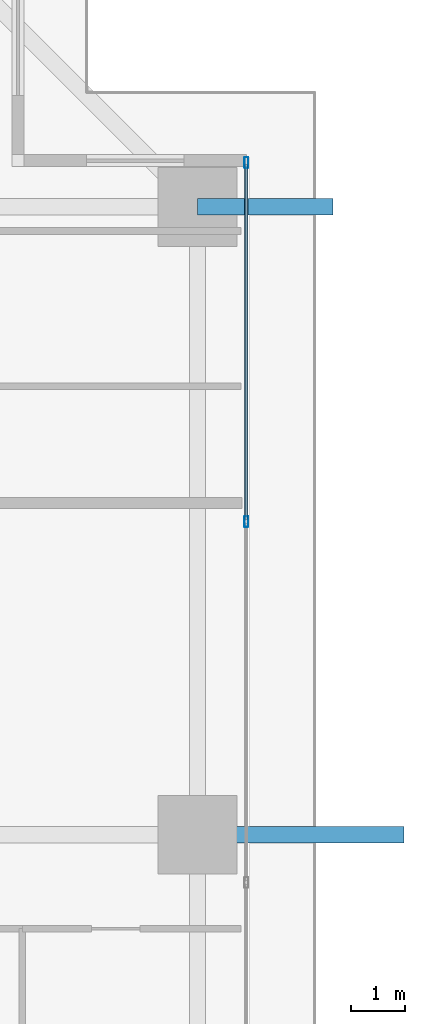
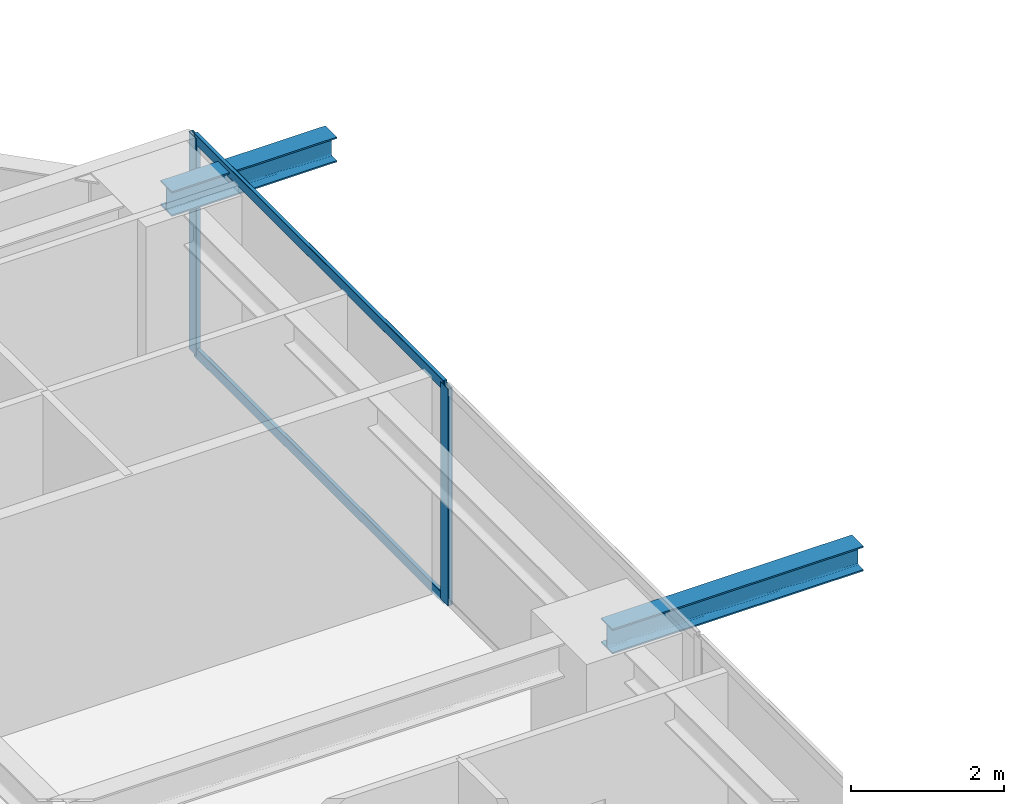
# One storey, part 23 of 41: 4 members, 2 beams, 1 element without a shape of its own.
"""IFC4 building model written with IfcOpenShell, lengths in metres."""

from ifc_helpers import new_model, si_unit, direction, frame, origin, origin_2d, place, context, subcontext, project, spatial, hollow_rectangle, i_section, extrude, source, transform, mapped, material, layer, layer_set, material_profile, profile_set, type_object, element, aggregate, save


model = new_model("IFC4")

# Units and contexts
model_context = context("Model", 3, precision=1e-05, world=origin(), true_north=direction((0.0, 1.0)))
body_context = subcontext(model_context, "Body", "Model", "MODEL_VIEW")
ifc_project = project(units=[si_unit("LENGTHUNIT", "METRE"), si_unit("AREAUNIT", "SQUARE_METRE"), si_unit("VOLUMEUNIT", "CUBIC_METRE"), si_unit("PLANEANGLEUNIT", "RADIAN"), si_unit("MASSUNIT", "GRAM", prefix="KILO")], contexts=[model_context])

# Site, building, storey
site_placement = place(None, origin())
site = spatial("IfcSite", under=ifc_project, at=site_placement, CompositionType="ELEMENT")
building_placement = place(site_placement, origin())
building = spatial("IfcBuilding", under=site, at=building_placement, Name="Serunith Strait Residences", CompositionType="ELEMENT")
storey_placement = place(building_placement, frame((0.0, 0.0, 45.449951171875)))
storey = spatial("IfcBuildingStorey", under=building, at=storey_placement, Name="L10", CompositionType="ELEMENT", Elevation=45.449951171875)

# Beams
ifc_material_1 = material(Name="Steel S355J2", Category="steel")
ifc_material_profile_1 = material_profile(ifc_material_1, i_section(OverallWidth=0.300048828125, OverallDepth=0.39990234375, WebThickness=0.013427734375, FlangeThickness=0.02392578125, FilletRadius=0.027099609375, at=origin_2d()), Name="HEB 400")
ifc_profile_set_1 = profile_set([ifc_material_profile_1], Name="Steel S355J2")
beam_type = type_object("IfcBeamType", Name="BM-HEB400", PredefinedType="BEAM", material=ifc_profile_set_1)
shared_shape_1 = source(origin(), body_context, "Body", "SweptSolid", [
    extrude(i_section(OverallWidth=0.300048828125, OverallDepth=0.39990234375, WebThickness=0.013427734375, FlangeThickness=0.02392578125, FilletRadius=0.027099609375, at=origin_2d()), origin(), (0.0, 0.0, 1.0), 3.800048828125),
])
beam_1_placement = place(storey_placement, frame((57.89990234375, 29.39990234375, 3.257080078125), z_axis=(1.0, 0.0, 0.0), x_axis=(0.0, 1.0, 0.0)))
element("IfcBeam", 1, at=beam_1_placement, inside=storey, type_object=beam_type, Name="L11 Cantilevered Balcony Rib TC-E3", PredefinedType="BEAM", context=body_context, shape_type="MappedRepresentation", body=[
    mapped(shared_shape_1, transform((0.0, 0.0, 0.0), scale=1.0)),
])
shared_shape_2 = source(origin(), body_context, "Body", "SweptSolid", [
    extrude(i_section(OverallWidth=0.300048828125, OverallDepth=0.39990234375, WebThickness=0.013427734375, FlangeThickness=0.02392578125, FilletRadius=0.027099609375, at=origin_2d()), origin(), (0.0, 0.0, 1.0), 2.49609375),
])
beam_2_placement = place(storey_placement, frame((57.89990234375, 40.949951171875, 3.257080078125), z_axis=(1.0, 0.0, 0.0), x_axis=(0.0, 1.0, 0.0)))
element("IfcBeam", 2, at=beam_2_placement, inside=storey, type_object=beam_type, Name="L11 Cantilevered Balcony Rib TC-E4", PredefinedType="BEAM", context=body_context, shape_type="MappedRepresentation", body=[
    mapped(shared_shape_2, transform((0.0, 0.0, 0.0), scale=1.0)),
])

# Curtain wall, members
ifc_material_2 = material(Name="Pale-Champagne Anodised Aluminium", Category="aluminium")
ifc_layer = layer(ifc_material_2, 0.199951171875, Name="Pale-Champagne Anodised Aluminium")
ifc_layer_set = layer_set([ifc_layer], Name="Pale-Champagne Anodised Aluminium")
curtain_wall_type = type_object("IfcCurtainWallType", Name="CW-SYS1", PredefinedType="NOTDEFINED", material=ifc_layer_set)
curtain_wall_placement = place(storey_placement, origin())
curtain_wall = element("IfcCurtainWall", 3, at=curtain_wall_placement, inside=storey, type_object=curtain_wall_type, Name="L10 E Unitised Fritted Curtain Wall", PredefinedType="NOTDEFINED")
ifc_material_profile_2 = material_profile(ifc_material_2, hollow_rectangle(XDim=0.070068359375, YDim=0.199951171875, WallThickness=0.00390625, InnerFilletRadius=0.006103515625, OuterFilletRadius=0.010009765625, at=origin_2d()), Name="ALU 200x70x4")
ifc_profile_set_2 = profile_set([ifc_material_profile_2], Name="Pale-Champagne Anodised Aluminium")
member_type_1 = type_object("IfcMemberType", Name="CW-SYS1-MULL", PredefinedType="MULLION", material=ifc_profile_set_2)
shared_shape_3 = source(origin(), body_context, "Body", "SweptSolid", [
    extrude(hollow_rectangle(XDim=0.070068359375, YDim=0.199951171875, WallThickness=0.00390625, InnerFilletRadius=0.006103515625, OuterFilletRadius=0.010009765625, at=origin_2d()), origin(), (0.0, 0.0, 1.0), 3.47509765625),
])
member_1_placement = place(storey_placement, frame((58.800048828125, 35.159912109375, 0.0), z_axis=(0.0, 0.0, 1.0), x_axis=(-1.0, 0.0, 0.0)))
member_1 = element("IfcMember", 4, at=member_1_placement, type_object=member_type_1, Name="CW-1 mullion 5", PredefinedType="MULLION", context=body_context, shape_type="MappedRepresentation", body=[
    mapped(shared_shape_3, transform((0.0, 0.0, 0.0), scale=1.0)),
])
member_2_placement = place(storey_placement, frame((58.800048828125, 41.764892578125, 0.0), z_axis=(0.0, 0.0, 1.0), x_axis=(-1.0, 0.0, 0.0)))
member_2 = element("IfcMember", 5, at=member_2_placement, type_object=member_type_1, Name="CW-1 mullion 6", PredefinedType="MULLION", context=body_context, shape_type="MappedRepresentation", body=[
    mapped(shared_shape_3, transform((0.0, 0.0, 0.0), scale=1.0)),
])
ifc_material_profile_3 = material_profile(ifc_material_2, hollow_rectangle(XDim=0.06005859375, YDim=0.159912109375, WallThickness=0.00341796875, InnerFilletRadius=0.00537109375, OuterFilletRadius=0.0087890625, at=origin_2d()), Name="ALU 160x60x3.5")
ifc_profile_set_3 = profile_set([ifc_material_profile_3], Name="Pale-Champagne Anodised Aluminium")
member_type_2 = type_object("IfcMemberType", Name="CW-SYS1-TRAN", PredefinedType="USERDEFINED", material=ifc_profile_set_3)
shared_shape_4 = source(origin(), body_context, "Body", "SweptSolid", [
    extrude(hollow_rectangle(XDim=0.06005859375, YDim=0.159912109375, WallThickness=0.00341796875, InnerFilletRadius=0.00537109375, OuterFilletRadius=0.0087890625, at=origin_2d()), origin(), (0.0, 0.0, 1.0), 6.534912109375),
])
member_3_placement = place(storey_placement, frame((58.800048828125, 35.195068359375, 0.030029296875), z_axis=(0.0, 1.0, 0.0), x_axis=(-1.0, 0.0, 0.0)))
member_3 = element("IfcMember", 6, at=member_3_placement, type_object=member_type_2, Name="CW-1 transom 5.1", ObjectType="TRANSOM", PredefinedType="USERDEFINED", context=body_context, shape_type="MappedRepresentation", body=[
    mapped(shared_shape_4, transform((0.0, 0.0, 0.0), scale=1.0)),
])
member_4_placement = place(storey_placement, frame((58.800048828125, 35.195068359375, 3.445068359375), z_axis=(0.0, 1.0, 0.0), x_axis=(-1.0, 0.0, 0.0)))
member_4 = element("IfcMember", 7, at=member_4_placement, type_object=member_type_2, Name="CW-1 transom 5.2", ObjectType="TRANSOM", PredefinedType="USERDEFINED", context=body_context, shape_type="MappedRepresentation", body=[
    mapped(shared_shape_4, transform((0.0, 0.0, 0.0), scale=1.0)),
])
aggregate(curtain_wall, [member_1, member_2, member_3, member_4])

save(model, "model.ifc")
